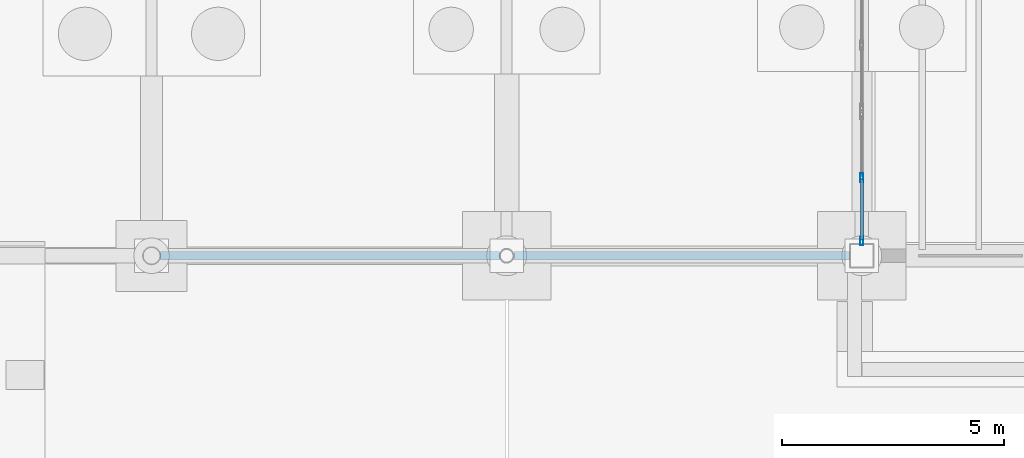
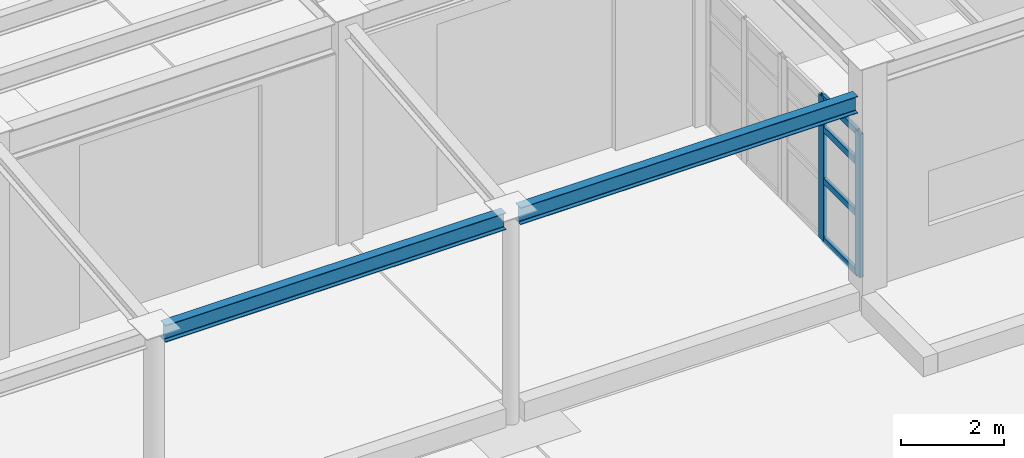
# One storey, part 36 of 86: 6 members, 2 beams, 1 element without a shape of its own.
"""IFC4 building model written with IfcOpenShell, lengths in metres."""

from ifc_helpers import new_model, si_unit, direction, frame, origin, origin_2d, place, context, subcontext, project, spatial, hollow_rectangle, i_section, extrude, material, material_profile, profile_set, type_object, element, aggregate, save


model = new_model("IFC4")

# Units and contexts
model_context = context("Model", 3, precision=1e-05, world=origin(), true_north=direction((0.0, 1.0)))
body_context = subcontext(model_context, "Body", "Model", "MODEL_VIEW")
ifc_project = project(units=[si_unit("LENGTHUNIT", "METRE"), si_unit("AREAUNIT", "SQUARE_METRE"), si_unit("VOLUMEUNIT", "CUBIC_METRE"), si_unit("PLANEANGLEUNIT", "RADIAN"), si_unit("MASSUNIT", "GRAM", prefix="KILO"), si_unit("THERMODYNAMICTEMPERATUREUNIT", "KELVIN"), si_unit("POWERUNIT", "WATT")], contexts=[model_context])

# Site, building, storey
site_placement = place(None, origin())
site = spatial("IfcSite", under=ifc_project, at=site_placement, CompositionType="ELEMENT")
building_placement = place(site_placement, origin())
building = spatial("IfcBuilding", under=site, at=building_placement, Name="Zhenchuan Central Fire Station", CompositionType="ELEMENT")
storey_placement = place(building_placement, frame((0.0, 0.0, 0.449951171875)))
storey = spatial("IfcBuildingStorey", under=building, at=storey_placement, Name="L01", CompositionType="ELEMENT", Elevation=0.449951171875)

# Curtain wall, members
ifc_material_1 = material(Name="Anodised aluminium and low-E glazing", Category="aluminium")
curtain_wall_type = type_object("IfcCurtainWallType", Name="CW-MOD-09", PredefinedType="USERDEFINED", material=ifc_material_1)
curtain_wall_placement = place(storey_placement, origin())
curtain_wall = element("IfcCurtainWall", 1, at=curtain_wall_placement, inside=storey, type_object=curtain_wall_type, Name="L01 Unitised Curtain Wall 080", ObjectType="UNITISED GLAZING", PredefinedType="USERDEFINED")
ifc_material_2 = material(Name="Anodised aluminium EN AW-6063", Category="aluminium")
ifc_material_profile_1 = material_profile(ifc_material_2, hollow_rectangle(XDim=0.074951171875, YDim=0.199951171875, WallThickness=0.0048828125, at=origin_2d()), Name="ALU-M 200x75")
ifc_profile_set_1 = profile_set([ifc_material_profile_1], Name="Anodised aluminium EN AW-6063")
member_type_1 = type_object("IfcMemberType", Name="CW-MUL160", PredefinedType="MULLION", material=ifc_profile_set_1)
member_1_placement = place(storey_placement, frame((140.0, 0.33251953125, -0.00390625), z_axis=(0.0, 0.0, 1.0), x_axis=(-1.0, 0.0, 0.0)))
member_1 = element("IfcMember", 2, at=member_1_placement, type_object=member_type_1, Name="CW-09 mullion 1", PredefinedType="MULLION", context=body_context, shape_type="SweptSolid", body=[
    extrude(hollow_rectangle(XDim=0.074951171875, YDim=0.199951171875, WallThickness=0.0048828125, at=origin_2d()), origin(), (0.0, 0.0, 1.0), 3.404052734375),
])
member_2_placement = place(storey_placement, frame((140.0, 1.756103515625, -0.00390625), z_axis=(0.0, 0.0, 1.0), x_axis=(-1.0, 0.0, 0.0)))
member_2 = element("IfcMember", 3, at=member_2_placement, type_object=member_type_1, Name="CW-09 mullion 2", PredefinedType="MULLION", context=body_context, shape_type="SweptSolid", body=[
    extrude(hollow_rectangle(XDim=0.074951171875, YDim=0.199951171875, WallThickness=0.0048828125, at=origin_2d()), origin(), (0.0, 0.0, 1.0), 3.404052734375),
])
ifc_material_profile_2 = material_profile(ifc_material_2, hollow_rectangle(XDim=0.074951171875, YDim=0.14990234375, WallThickness=0.0048828125, at=origin_2d()), Name="ALU-T 150x75")
ifc_profile_set_2 = profile_set([ifc_material_profile_2], Name="Anodised aluminium EN AW-6063")
member_type_2 = type_object("IfcMemberType", Name="CW-TRN130", PredefinedType="NOTDEFINED", material=ifc_profile_set_2)
member_3_placement = place(storey_placement, frame((140.0, 0.364990234375, 0.028564453125), z_axis=(0.0, 1.0, 0.0), x_axis=(-1.0, 0.0, 0.0)))
member_3 = element("IfcMember", 4, at=member_3_placement, type_object=member_type_2, Name="CW-09 transom 1.1", ObjectType="TRANSOM", PredefinedType="USERDEFINED", context=body_context, shape_type="SweptSolid", body=[
    extrude(hollow_rectangle(XDim=0.074951171875, YDim=0.14990234375, WallThickness=0.0048828125, at=origin_2d()), origin(), (0.0, 0.0, 1.0), 1.3583984375),
])
member_4_placement = place(storey_placement, frame((140.0, 0.364990234375, 1.427978515625), z_axis=(0.0, 1.0, 0.0), x_axis=(-1.0, 0.0, 0.0)))
member_4 = element("IfcMember", 5, at=member_4_placement, type_object=member_type_2, Name="CW-09 transom 1.2", ObjectType="TRANSOM", PredefinedType="USERDEFINED", context=body_context, shape_type="SweptSolid", body=[
    extrude(hollow_rectangle(XDim=0.074951171875, YDim=0.14990234375, WallThickness=0.0048828125, at=origin_2d()), origin(), (0.0, 0.0, 1.0), 1.3583984375),
])
member_5_placement = place(storey_placement, frame((140.0, 0.364990234375, 2.652099609375), z_axis=(0.0, 1.0, 0.0), x_axis=(-1.0, 0.0, 0.0)))
member_5 = element("IfcMember", 6, at=member_5_placement, type_object=member_type_2, Name="CW-09 transom 1.3", ObjectType="TRANSOM", PredefinedType="USERDEFINED", context=body_context, shape_type="SweptSolid", body=[
    extrude(hollow_rectangle(XDim=0.074951171875, YDim=0.14990234375, WallThickness=0.0048828125, at=origin_2d()), origin(), (0.0, 0.0, 1.0), 1.3583984375),
])
member_6_placement = place(storey_placement, frame((140.0, 0.364990234375, 3.367431640625), z_axis=(0.0, 1.0, 0.0), x_axis=(-1.0, 0.0, 0.0)))
member_6 = element("IfcMember", 7, at=member_6_placement, type_object=member_type_2, Name="CW-09 transom 1.4", ObjectType="TRANSOM", PredefinedType="USERDEFINED", context=body_context, shape_type="SweptSolid", body=[
    extrude(hollow_rectangle(XDim=0.074951171875, YDim=0.14990234375, WallThickness=0.0048828125, at=origin_2d()), origin(), (0.0, 0.0, 1.0), 1.3583984375),
])
aggregate(curtain_wall, [member_1, member_2, member_3, member_4, member_5, member_6])

# Beams
ifc_material_3 = material(Name="Steel Q355B", Category="steel")
ifc_material_profile_3 = material_profile(ifc_material_3, i_section(OverallWidth=0.199951171875, OverallDepth=0.39990234375, WebThickness=0.008056640625, FlangeThickness=0.012939453125, FilletRadius=0.01611328125, at=origin_2d()), Name="HN 400x200")
ifc_profile_set_3 = profile_set([ifc_material_profile_3], Name="Steel Q355B")
beam_type = type_object("IfcBeamType", Name="SP-HN400", PredefinedType="SPANDREL", material=ifc_profile_set_3)
beam_1_placement = place(storey_placement, frame((124.203125, 0.0, 4.39013671875), z_axis=(1.0, 0.0, 0.0), x_axis=(0.0, 1.0, 0.0)))
element("IfcBeam", 8, at=beam_1_placement, inside=storey, type_object=beam_type, Name="Canopy Fascia Girder 0528", PredefinedType="SPANDREL", context=body_context, shape_type="SweptSolid", body=[
    extrude(i_section(OverallWidth=0.199951171875, OverallDepth=0.39990234375, WebThickness=0.008056640625, FlangeThickness=0.012939453125, FilletRadius=0.01611328125, at=origin_2d()), origin(), (0.0, 0.0, 1.0), 7.635009765625),
])
beam_2_placement = place(storey_placement, frame((132.161865234375, 0.0, 4.39013671875), z_axis=(1.0, 0.0, 0.0), x_axis=(0.0, 1.0, 0.0)))
element("IfcBeam", 9, at=beam_2_placement, inside=storey, type_object=beam_type, Name="Canopy Fascia Girder 0529", PredefinedType="SPANDREL", context=body_context, shape_type="SweptSolid", body=[
    extrude(i_section(OverallWidth=0.199951171875, OverallDepth=0.39990234375, WebThickness=0.008056640625, FlangeThickness=0.012939453125, FilletRadius=0.01611328125, at=origin_2d()), origin(), (0.0, 0.0, 1.0), 7.563232421875),
])

save(model, "model.ifc")
